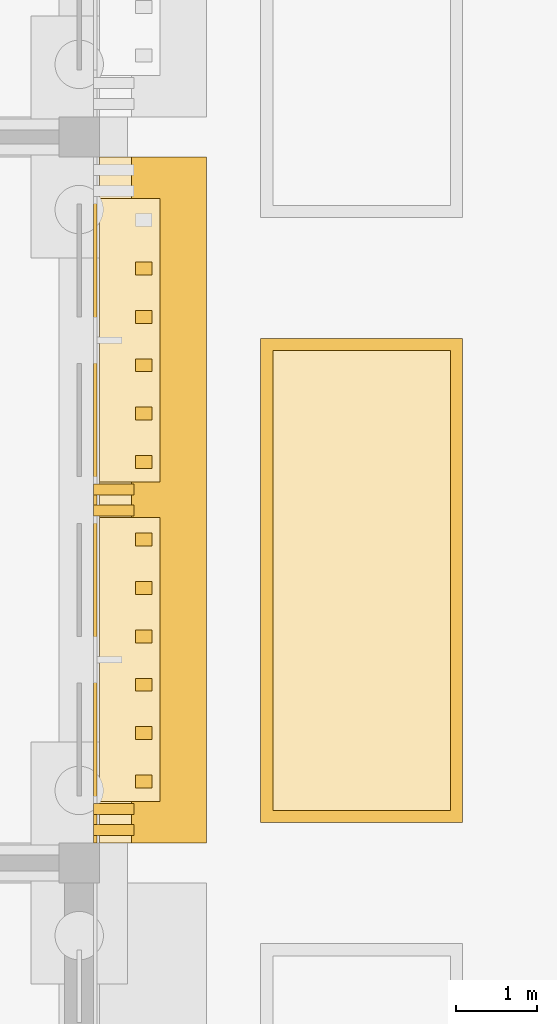
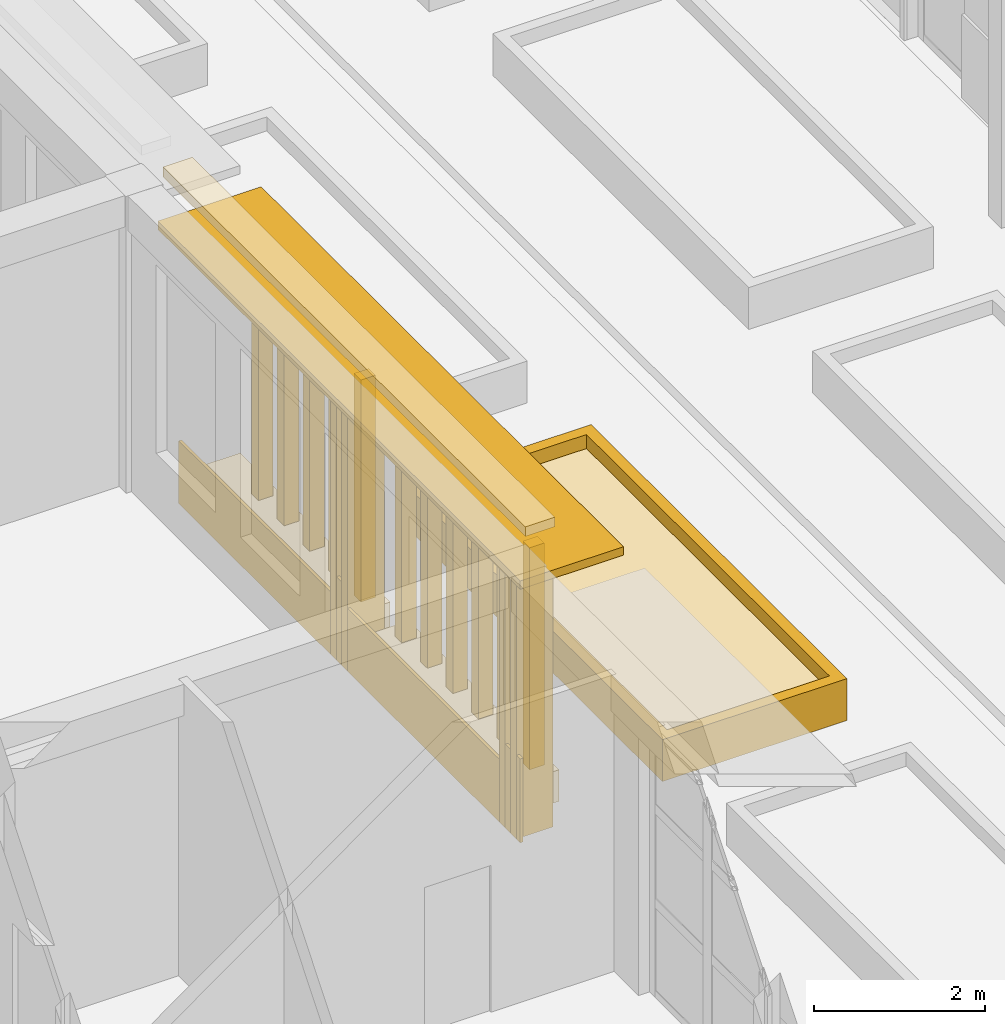
# One storey, part 124 of 161: 25 coverings, 1 shading device.
"""IFC4 building model written with IfcOpenShell, lengths in metres."""

from ifc_helpers import new_model, si_unit, direction, frame, origin, origin_2d, place, context, subcontext, project, spatial, polyline, rectangle, outline, extrude, material, layer, layer_set, type_object, element, save


model = new_model("IFC4")

# Units and contexts
model_context = context("Model", 3, precision=1e-05, world=origin(), true_north=direction((0.0, 1.0)))
body_context = subcontext(model_context, "Body", "Model", "MODEL_VIEW")
ifc_project = project(units=[si_unit("LENGTHUNIT", "METRE"), si_unit("AREAUNIT", "SQUARE_METRE"), si_unit("VOLUMEUNIT", "CUBIC_METRE"), si_unit("PLANEANGLEUNIT", "RADIAN"), si_unit("MASSUNIT", "GRAM", prefix="KILO")], contexts=[model_context])

# Site, building, storey
site_placement = place(None, origin())
site = spatial("IfcSite", under=ifc_project, at=site_placement, CompositionType="ELEMENT")
building_placement = place(site_placement, origin())
building = spatial("IfcBuilding", under=site, at=building_placement, Name="Elbe Cascade School", CompositionType="ELEMENT")
storey_placement = place(building_placement, origin())
storey = spatial("IfcBuildingStorey", under=building, at=storey_placement, Name="L00", CompositionType="ELEMENT", Elevation=0.0)

# Shading device
ifc_material_1 = material(Name="Precast concrete C30/37", Category="concrete")
ifc_layer_1 = layer(ifc_material_1, 0.1201171875)
ifc_layer_set_1 = layer_set([ifc_layer_1], Name="Precast concrete C30/37")
shading_device_type = type_object("IfcShadingDeviceType", Name="Bars envelope Chhajja eave, precast concrete, 1400 x 120", PredefinedType="USERDEFINED", material=ifc_layer_set_1)
shading_device_placement = place(storey_placement, frame((146.179931640625, 19.5, 3.6298828125), z_axis=(0.0, 0.0, 1.0), x_axis=(0.0, 1.0, 0.0)))
element("IfcShadingDevice", 1, at=shading_device_placement, inside=storey, type_object=shading_device_type, Name="Chhajja eave SD8 C.L00.e2", ObjectType="CHHAJJA", PredefinedType="USERDEFINED", context=body_context, shape_type="SweptSolid", body=[
    extrude(rectangle(XDim=8.5, YDim=1.39990234375, at=origin_2d()), origin(), (0.0, 0.0, 1.0), 0.1201171875),
])

# Coverings
ifc_material_2 = material(Name="Precast concrete C40/50", Category="concrete")
covering_type_1 = type_object("IfcCoveringType", Name="Bars envelope Precast concrete fin, 140 wide, 500 deep", PredefinedType="CLADDING", material=ifc_material_2)
for number, where, z_axis, x_axis, name in (
    (2, (145.72998046875, 15.409912109375, 0.0), (0.0, 0.0, 1.0), (0.0, 1.0, 0.0), "Fin CV62 C.L00.e2.1"),
    (3, (145.72998046875, 15.669921875, 0.0), (0.0, 0.0, 1.0), (0.0, 1.0, 0.0), "Fin CV62 C.L00.e2.2"),
    (4, (145.72998046875, 19.3701171875, 0.0), (0.0, 0.0, 1.0), (0.0, 1.0, 0.0), "Fin CV62 C.L00.e2.3"),
    (5, (145.72998046875, 19.6298828125, 0.0), (0.0, 0.0, 1.0), (0.0, 1.0, 0.0), "Fin CV62 C.L00.e2.4"),
):
    element("IfcCovering", number, at=place(storey_placement, frame(where, z_axis=z_axis, x_axis=x_axis)), inside=storey, type_object=covering_type_1, Name=name, PredefinedType="CLADDING", context=body_context, shape_type="SweptSolid", body=[
        extrude(rectangle(XDim=0.139892578125, YDim=0.5, at=origin_2d()), origin(), (0.0, 0.0, 1.0), 3.6298828125),
    ])
ifc_material_3 = material(Name="Sandstone - red", Category="masonry")
ifc_layer_2 = layer(ifc_material_3, 0.0400390625)
ifc_layer_set_2 = layer_set([ifc_layer_2], Name="Sandstone - red")
covering_type_2 = type_object("IfcCoveringType", Name="Bars envelope Sandstone cladding, red, 40 mm", PredefinedType="CLADDING", material=ifc_layer_set_2)
covering_1_placement = place(storey_placement, frame((145.5, 15.294921875, 0.0), z_axis=(0.0, 0.0, 1.0), x_axis=(0.0, 1.0, 0.0)))
element("IfcCovering", 6, at=covering_1_placement, inside=storey, type_object=covering_type_2, Name="Sandstone cladding CV48 C.L00.e.2.1", PredefinedType="CLADDING", context=body_context, shape_type="SweptSolid", body=[
    extrude(rectangle(XDim=0.090087890625, YDim=0.0400390625, at=origin_2d()), origin(), (0.0, 0.0, 1.0), 1.199951171875),
])
covering_2_placement = place(storey_placement, frame((145.5, 15.5400390625, 0.0), z_axis=(0.0, 0.0, 1.0), x_axis=(0.0, 1.0, 0.0)))
element("IfcCovering", 7, at=covering_2_placement, inside=storey, type_object=covering_type_2, Name="Sandstone cladding CV48 C.L00.e.2.2", PredefinedType="CLADDING", context=body_context, shape_type="SweptSolid", body=[
    extrude(rectangle(XDim=0.1201171875, YDim=0.0400390625, at=origin_2d()), origin(), (0.0, 0.0, 1.0), 1.199951171875),
])
covering_3_placement = place(storey_placement, frame((145.5, 17.52001953125, 0.0), z_axis=(0.0, 0.0, 1.0), x_axis=(0.0, 1.0, 0.0)))
element("IfcCovering", 8, at=covering_3_placement, inside=storey, type_object=covering_type_2, Name="Sandstone cladding CV48 C.L00.e.2.3", PredefinedType="CLADDING", context=body_context, shape_type="SweptSolid", body=[
    extrude(rectangle(XDim=3.56005859375, YDim=0.0400390625, at=origin_2d()), origin(), (0.0, 0.0, 1.0), 0.89990234375),
])
covering_4_placement = place(storey_placement, frame((145.5, 19.5, 0.0), z_axis=(0.0, 0.0, 1.0), x_axis=(0.0, 1.0, 0.0)))
element("IfcCovering", 9, at=covering_4_placement, inside=storey, type_object=covering_type_2, Name="Sandstone cladding CV48 C.L00.e.2.4", PredefinedType="CLADDING", context=body_context, shape_type="SweptSolid", body=[
    extrude(rectangle(XDim=0.1201171875, YDim=0.0400390625, at=origin_2d()), origin(), (0.0, 0.0, 1.0), 1.199951171875),
])
covering_5_placement = place(storey_placement, frame((145.5, 21.47998046875, 0.0), z_axis=(0.0, 0.0, 1.0), x_axis=(0.0, 1.0, 0.0)))
element("IfcCovering", 10, at=covering_5_placement, inside=storey, type_object=covering_type_2, Name="Sandstone cladding CV48 C.L00.e.2.5", PredefinedType="CLADDING", context=body_context, shape_type="SweptSolid", body=[
    extrude(rectangle(XDim=3.56005859375, YDim=0.0400390625, at=origin_2d()), origin(), (0.0, 0.0, 1.0), 0.89990234375),
])
ifc_material_4 = material(Name="Sandstone - red", Category="masonry")
covering_type_3 = type_object("IfcCoveringType", Name="Bars envelope Sandstone floor ledge, 400 deep", PredefinedType="CLADDING", material=ifc_material_4)
covering_6_placement = place(storey_placement, frame((145.75, 19.5, 4.35986328125), z_axis=(0.0, 0.0, 1.0), x_axis=(0.0, 1.0, 0.0)))
element("IfcCovering", 11, at=covering_6_placement, inside=storey, type_object=covering_type_3, Name="Floor ledge CV64 C.L00.e1.1", PredefinedType="CLADDING", context=body_context, shape_type="SweptSolid", body=[
    extrude(rectangle(XDim=8.5, YDim=0.39990234375, at=origin_2d()), origin(), (0.0, 0.0, 1.0), 0.139892578125),
])
ifc_material_5 = material(Name="Sandstone - red", Category="masonry")
covering_type_4 = type_object("IfcCoveringType", Name="Bars envelope Sandstone planter kerb, 750 deep", PredefinedType="CLADDING", material=ifc_material_5)
for number, where, z_axis, x_axis, name in (
    (12, (145.925048828125, 17.52001953125, 0.0), (0.0, 0.0, 1.0), (0.0, 1.0, 0.0), "Planter kerb CV65 C.L00.e1.1"),
    (13, (145.925048828125, 21.47998046875, 0.0), (0.0, 0.0, 1.0), (0.0, 1.0, 0.0), "Planter kerb CV65 C.L00.e1.2"),
):
    element("IfcCovering", number, at=place(storey_placement, frame(where, z_axis=z_axis, x_axis=x_axis)), inside=storey, type_object=covering_type_4, Name=name, PredefinedType="CLADDING", context=body_context, shape_type="SweptSolid", body=[
        extrude(rectangle(XDim=3.52001953125, YDim=0.75, at=origin_2d()), origin(), (0.0, 0.0, 1.0), 0.449951171875),
    ])
ifc_material_6 = material(Name="Sandstone - red", Category="masonry")
covering_type_5 = type_object("IfcCoveringType", Name="Bars envelope Sandstone slat, 160 wide, 200 deep", PredefinedType="CLADDING", material=ifc_material_6)
for number, where, z_axis, x_axis, name in (
    (14, (146.10009765625, 16.010009765625, 0.4501953125), (0.0, 0.0, 1.0), (0.0, 1.0, 0.0), "Slat CV66 C.L00.e1.1.1"),
    (15, (146.10009765625, 16.610107421875, 0.4501953125), (0.0, 0.0, 1.0), (0.0, 1.0, 0.0), "Slat CV66 C.L00.e1.1.2"),
    (16, (146.10009765625, 17.2099609375, 0.4501953125), (0.0, 0.0, 1.0), (0.0, 1.0, 0.0), "Slat CV66 C.L00.e1.1.3"),
    (17, (146.10009765625, 17.81005859375, 0.4501953125), (0.0, 0.0, 1.0), (0.0, 1.0, 0.0), "Slat CV66 C.L00.e1.1.4"),
    (18, (146.10009765625, 18.409912109375, 0.4501953125), (0.0, 0.0, 1.0), (0.0, 1.0, 0.0), "Slat CV66 C.L00.e1.1.5"),
    (19, (146.10009765625, 19.010009765625, 0.4501953125), (0.0, 0.0, 1.0), (0.0, 1.0, 0.0), "Slat CV66 C.L00.e1.1.6"),
    (20, (146.10009765625, 19.969970703125, 0.4501953125), (0.0, 0.0, 1.0), (0.0, 1.0, 0.0), "Slat CV66 C.L00.e1.2.1"),
    (21, (146.10009765625, 20.570068359375, 0.4501953125), (0.0, 0.0, 1.0), (0.0, 1.0, 0.0), "Slat CV66 C.L00.e1.2.2"),
    (22, (146.10009765625, 21.169921875, 0.4501953125), (0.0, 0.0, 1.0), (0.0, 1.0, 0.0), "Slat CV66 C.L00.e1.2.3"),
    (23, (146.10009765625, 21.77001953125, 0.4501953125), (0.0, 0.0, 1.0), (0.0, 1.0, 0.0), "Slat CV66 C.L00.e1.2.4"),
    (24, (146.10009765625, 22.3701171875, 0.4501953125), (0.0, 0.0, 1.0), (0.0, 1.0, 0.0), "Slat CV66 C.L00.e1.2.5"),
):
    element("IfcCovering", number, at=place(storey_placement, frame(where, z_axis=z_axis, x_axis=x_axis)), inside=storey, type_object=covering_type_5, Name=name, PredefinedType="CLADDING", context=body_context, shape_type="SweptSolid", body=[
        extrude(rectangle(XDim=0.159912109375, YDim=0.199951171875, at=origin_2d()), origin(), (0.0, 0.0, 1.0), 3.179931640625),
    ])
ifc_material_7 = material(Name="Planting - soil and shrubs", Category="soil")
ifc_layer_3 = layer(ifc_material_7, 0.39990234375)
ifc_layer_set_3 = layer_set([ifc_layer_3], Name="Planting - soil and shrubs")
covering_type_6 = type_object("IfcCoveringType", Name="Site planting bed 400", PredefinedType="USERDEFINED", material=ifc_layer_set_3)
covering_7_placement = place(storey_placement, origin())
element("IfcCovering", 25, at=covering_7_placement, inside=storey, type_object=covering_type_6, Name="Court C-D planting bed west 2", ObjectType="PLANTING BED", PredefinedType="USERDEFINED", context=body_context, shape_type="SweptSolid", body=[
    extrude(outline(polyline([(147.699951171875, 15.64990234375), (149.89990234375, 15.64990234375), (149.89990234375, 21.35009765625), (147.699951171875, 21.35009765625), (147.699951171875, 15.64990234375)])), origin(), (0.0, 0.0, 1.0), 0.39990234375),
])
ifc_material_8 = material(Name="Concrete C30/37 precast kerb", Category="concrete")
ifc_layer_4 = layer(ifc_material_8, 0.14990234375)
ifc_layer_set_4 = layer_set([ifc_layer_4], Name="Concrete C30/37 precast kerb")
covering_type_7 = type_object("IfcCoveringType", Name="Site planting bed kerb 150x600", PredefinedType="CLADDING", material=ifc_layer_set_4)
covering_8_placement = place(storey_placement, origin())
element("IfcCovering", 26, at=covering_8_placement, inside=storey, type_object=covering_type_7, Name="Court C-D planting bed kerb west 2", PredefinedType="CLADDING", context=body_context, shape_type="SweptSolid", body=[
    extrude(outline(polyline([(147.550048828125, 15.5), (150.050048828125, 15.5), (150.050048828125, 21.5), (147.550048828125, 21.5), (147.550048828125, 15.5)]), holes=[polyline([(147.699951171875, 15.64990234375), (149.89990234375, 15.64990234375), (149.89990234375, 21.35009765625), (147.699951171875, 21.35009765625), (147.699951171875, 15.64990234375)])]), origin(), (0.0, 0.0, 1.0), 0.60009765625),
])

save(model, "model.ifc")
